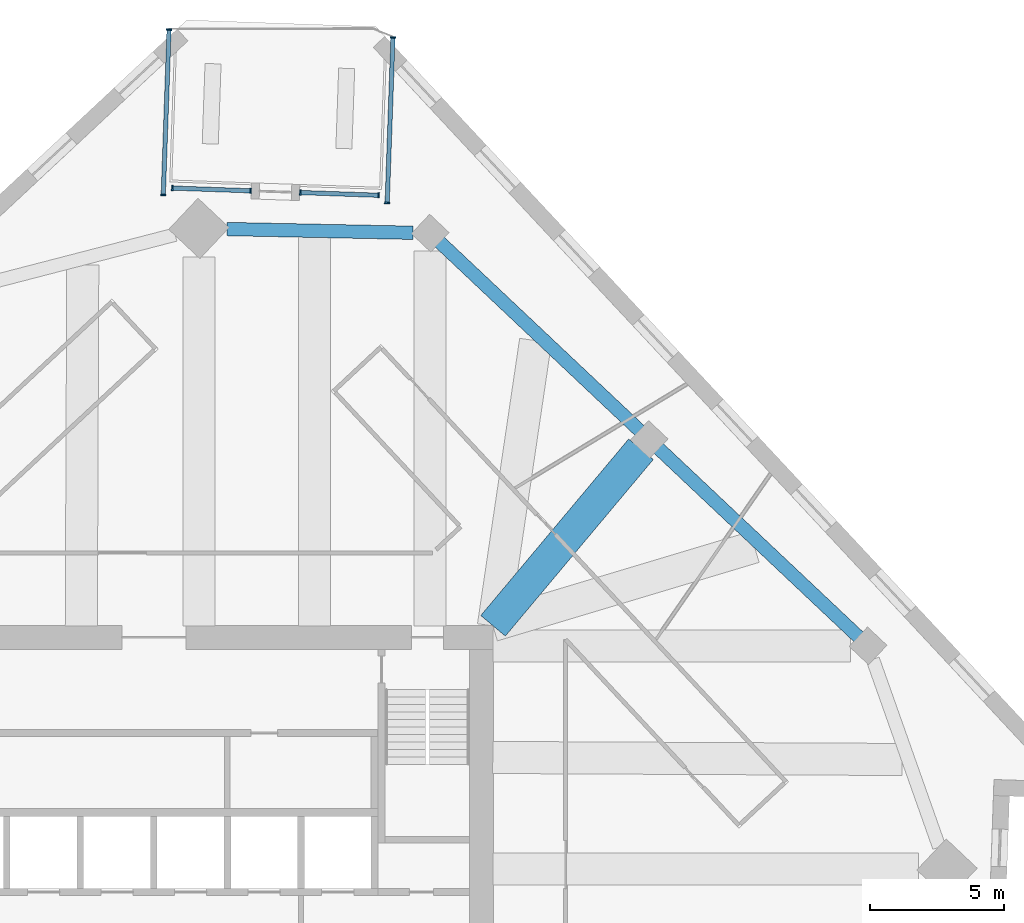
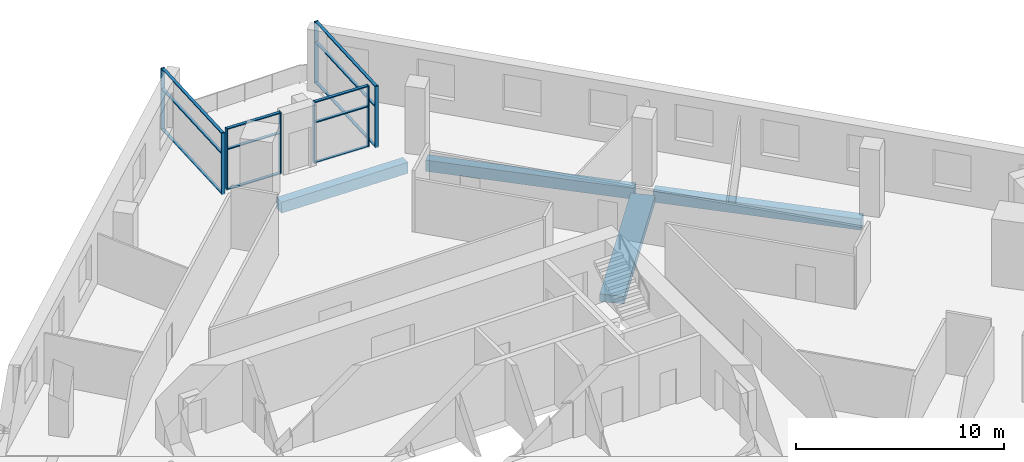
# One storey, part 2 of 10: 20 members, 4 beams, 4 elements without a shape of their own.
"""IFC4 building model written with IfcOpenShell, lengths in metres."""

from ifc_helpers import new_model, si_unit, direction, frame, origin, origin_2d, place, context, subcontext, project, spatial, rectangle, extrude, material, material_profile, profile_set, type_object, element, aggregate, save


model = new_model("IFC4")

# Units and contexts
model_context = context("Model", 3, precision=1e-05, world=origin(), true_north=direction((0.0, 1.0)))
body_context = subcontext(model_context, "Body", "Model", "MODEL_VIEW")
ifc_project = project(units=[si_unit("LENGTHUNIT", "METRE"), si_unit("AREAUNIT", "SQUARE_METRE"), si_unit("VOLUMEUNIT", "CUBIC_METRE"), si_unit("PLANEANGLEUNIT", "RADIAN"), si_unit("MASSUNIT", "GRAM", prefix="KILO")], contexts=[model_context])

# Site, building, storey
site_placement = place(None, origin())
site = spatial("IfcSite", under=ifc_project, at=site_placement, CompositionType="ELEMENT")
building_placement = place(site_placement, origin())
building = spatial("IfcBuilding", under=site, at=building_placement, Name="Dilmun Exchange Tower", CompositionType="ELEMENT")
storey_placement = place(building_placement, frame((0.0, 0.0, 201.300048828125)))
storey = spatial("IfcBuildingStorey", under=building, at=storey_placement, Name="L47", CompositionType="ELEMENT", Elevation=201.300048828125)

# Curtain wall, members
ifc_material_1 = material(Name="Anodised aluminium and clear glass", Category="aluminium")
curtain_wall_type = type_object("IfcCurtainWallType", Name="Garden corner glazing", PredefinedType="NOTDEFINED", material=ifc_material_1)
curtain_wall_1_placement = place(storey_placement, origin())
curtain_wall_1 = element("IfcCurtainWall", 1, at=curtain_wall_1_placement, inside=storey, type_object=curtain_wall_type, Name="Garden corner glazing run GC1.1", PredefinedType="NOTDEFINED")
ifc_material_2 = material(Name="Anodised aluminium", Category="aluminium")
ifc_material_profile_1 = material_profile(ifc_material_2, rectangle(XDim=0.199951171875, YDim=0.06005859375, at=origin_2d()), Name="AL 60x200")
ifc_profile_set_1 = profile_set([ifc_material_profile_1], Name="Anodised aluminium")
member_type_1 = type_object("IfcMemberType", Name="Garden corner glazing mullion 60 x 200", PredefinedType="MULLION", material=ifc_profile_set_1)
member_1_placement = place(storey_placement, frame((8.9404296875, 34.680908203125, 0.0), z_axis=(0.0, 0.0, 1.0), x_axis=(0.999390826392, -0.034899514651, 0.0)))
member_1 = element("IfcMember", 2, at=member_1_placement, type_object=member_type_1, Name="GC1.1 mullion 1", PredefinedType="MULLION", context=body_context, shape_type="SweptSolid", body=[
    extrude(rectangle(XDim=0.199951171875, YDim=0.06005859375, at=origin_2d()), origin(), (0.0, 0.0, 1.0), 3.619873046875),
])
member_2_placement = place(storey_placement, frame((8.724609375, 28.498291015625, 0.0), z_axis=(0.0, 0.0, 1.0), x_axis=(0.999390826392, -0.034899514651, 0.0)))
member_2 = element("IfcMember", 3, at=member_2_placement, type_object=member_type_1, Name="GC1.1 mullion 2", PredefinedType="MULLION", context=body_context, shape_type="SweptSolid", body=[
    extrude(rectangle(XDim=0.199951171875, YDim=0.06005859375, at=origin_2d()), origin(), (0.0, 0.0, 1.0), 3.619873046875),
])

curtain_wall_2_placement = place(storey_placement, origin())
curtain_wall_2 = element("IfcCurtainWall", 4, at=curtain_wall_2_placement, inside=storey, type_object=curtain_wall_type, Name="Garden corner glazing run GC2.1", PredefinedType="NOTDEFINED")
member_3_placement = place(storey_placement, frame((8.404052734375, 28.779541015625, 0.0), z_axis=(0.0, 0.0, 1.0), x_axis=(-0.034893209966, -0.999391046537, 0.0)))
member_3 = element("IfcMember", 5, at=member_3_placement, type_object=member_type_1, Name="GC2.1 mullion 1", PredefinedType="MULLION", context=body_context, shape_type="SweptSolid", body=[
    extrude(rectangle(XDim=0.199951171875, YDim=0.06005859375, at=origin_2d()), origin(), (0.0, 0.0, 1.0), 3.619873046875),
])
member_4_placement = place(storey_placement, frame((5.476806640625, 28.8818359375, 0.0), z_axis=(0.0, 0.0, 1.0), x_axis=(-0.034893209966, -0.999391046537, 0.0)))
member_4 = element("IfcMember", 6, at=member_4_placement, type_object=member_type_1, Name="GC2.1 mullion 2", PredefinedType="MULLION", context=body_context, shape_type="SweptSolid", body=[
    extrude(rectangle(XDim=0.199951171875, YDim=0.06005859375, at=origin_2d()), origin(), (0.0, 0.0, 1.0), 3.619873046875),
])

curtain_wall_3_placement = place(storey_placement, origin())
curtain_wall_3 = element("IfcCurtainWall", 7, at=curtain_wall_3_placement, inside=storey, type_object=curtain_wall_type, Name="Garden corner glazing run GC2.3", PredefinedType="NOTDEFINED")
member_5_placement = place(storey_placement, frame((3.617919921875, 28.94677734375, 0.0), z_axis=(0.0, 0.0, 1.0), x_axis=(-0.034894376636, -0.999391005803, 0.0)))
member_5 = element("IfcMember", 8, at=member_5_placement, type_object=member_type_1, Name="GC2.3 mullion 1", PredefinedType="MULLION", context=body_context, shape_type="SweptSolid", body=[
    extrude(rectangle(XDim=0.199951171875, YDim=0.06005859375, at=origin_2d()), origin(), (0.0, 0.0, 1.0), 3.619873046875),
])
member_6_placement = place(storey_placement, frame((0.690673828125, 29.049072265625, 0.0), z_axis=(0.0, 0.0, 1.0), x_axis=(-0.034894376636, -0.999391005803, 0.0)))
member_6 = element("IfcMember", 9, at=member_6_placement, type_object=member_type_1, Name="GC2.3 mullion 2", PredefinedType="MULLION", context=body_context, shape_type="SweptSolid", body=[
    extrude(rectangle(XDim=0.199951171875, YDim=0.06005859375, at=origin_2d()), origin(), (0.0, 0.0, 1.0), 3.619873046875),
])

curtain_wall_4_placement = place(storey_placement, origin())
curtain_wall_4 = element("IfcCurtainWall", 10, at=curtain_wall_4_placement, inside=storey, type_object=curtain_wall_type, Name="Garden corner glazing run GC3.1", PredefinedType="NOTDEFINED")
member_7_placement = place(storey_placement, frame((0.3515625, 28.79052734375, 0.0), z_axis=(0.0, 0.0, 1.0), x_axis=(-0.999390826392, 0.034899514651, 0.0)))
member_7 = element("IfcMember", 11, at=member_7_placement, type_object=member_type_1, Name="GC3.1 mullion 1", PredefinedType="MULLION", context=body_context, shape_type="SweptSolid", body=[
    extrude(rectangle(XDim=0.199951171875, YDim=0.06005859375, at=origin_2d()), origin(), (0.0, 0.0, 1.0), 3.619873046875),
])
member_8_placement = place(storey_placement, frame((0.5673828125, 34.973388671875, 0.0), z_axis=(0.0, 0.0, 1.0), x_axis=(-0.999390826392, 0.034899514651, 0.0)))
member_8 = element("IfcMember", 12, at=member_8_placement, type_object=member_type_1, Name="GC3.1 mullion 2", PredefinedType="MULLION", context=body_context, shape_type="SweptSolid", body=[
    extrude(rectangle(XDim=0.199951171875, YDim=0.06005859375, at=origin_2d()), origin(), (0.0, 0.0, 1.0), 3.619873046875),
])

# Member
ifc_material_profile_2 = material_profile(ifc_material_2, rectangle(XDim=0.159912109375, YDim=0.06005859375, at=origin_2d()), Name="AL 60x160")
ifc_profile_set_2 = profile_set([ifc_material_profile_2], Name="Anodised aluminium")
member_type_2 = type_object("IfcMemberType", Name="Garden corner glazing transom 60 x 160", PredefinedType="USERDEFINED", material=ifc_profile_set_2)
member_9_placement = place(storey_placement, frame((8.939453125, 34.65087890625, 0.030029296875), z_axis=(-0.034908333431, -0.999390518395, 0.0), x_axis=(0.999390518395, -0.034908333431, 0.0)))
member_9 = element("IfcMember", 13, at=member_9_placement, type_object=member_type_2, Name="GC1.1 transom 1.1", ObjectType="TRANSOM", PredefinedType="USERDEFINED", context=body_context, shape_type="SweptSolid", body=[
    extrude(rectangle(XDim=0.159912109375, YDim=0.06005859375, at=origin_2d()), origin(), (0.0, 0.0, 1.0), 6.12646484375),
])

member_10_placement = place(storey_placement, frame((8.939453125, 34.65087890625, 2.39990234375), z_axis=(-0.034908333431, -0.999390518395, 0.0), x_axis=(0.999390518395, -0.034908333431, 0.0)))
member_10 = element("IfcMember", 14, at=member_10_placement, type_object=member_type_2, Name="GC1.1 transom 1.2", ObjectType="TRANSOM", PredefinedType="USERDEFINED", context=body_context, shape_type="SweptSolid", body=[
    extrude(rectangle(XDim=0.159912109375, YDim=0.06005859375, at=origin_2d()), origin(), (0.0, 0.0, 1.0), 6.12646484375),
])

member_11_placement = place(storey_placement, frame((8.939453125, 34.65087890625, 3.58984375), z_axis=(-0.034908333431, -0.999390518395, 0.0), x_axis=(0.999390518395, -0.034908333431, 0.0)))
member_11 = element("IfcMember", 15, at=member_11_placement, type_object=member_type_2, Name="GC1.1 transom 1.3", ObjectType="TRANSOM", PredefinedType="USERDEFINED", context=body_context, shape_type="SweptSolid", body=[
    extrude(rectangle(XDim=0.159912109375, YDim=0.06005859375, at=origin_2d()), origin(), (0.0, 0.0, 1.0), 6.12646484375),
])

aggregate(curtain_wall_1, [member_1, member_2, member_9, member_10, member_11])

member_12_placement = place(storey_placement, frame((8.3740234375, 28.780517578125, 0.030029296875), z_axis=(-0.999391152029, 0.03489018838, 0.0), x_axis=(-0.03489018838, -0.999391152029, 0.0)))
member_12 = element("IfcMember", 16, at=member_12_placement, type_object=member_type_2, Name="GC2.1 transom 1.1", ObjectType="TRANSOM", PredefinedType="USERDEFINED", context=body_context, shape_type="SweptSolid", body=[
    extrude(rectangle(XDim=0.159912109375, YDim=0.06005859375, at=origin_2d()), origin(), (0.0, 0.0, 1.0), 2.868896484375),
])

member_13_placement = place(storey_placement, frame((8.3740234375, 28.780517578125, 2.39990234375), z_axis=(-0.999391152029, 0.03489018838, 0.0), x_axis=(-0.03489018838, -0.999391152029, 0.0)))
member_13 = element("IfcMember", 17, at=member_13_placement, type_object=member_type_2, Name="GC2.1 transom 1.2", ObjectType="TRANSOM", PredefinedType="USERDEFINED", context=body_context, shape_type="SweptSolid", body=[
    extrude(rectangle(XDim=0.159912109375, YDim=0.06005859375, at=origin_2d()), origin(), (0.0, 0.0, 1.0), 2.868896484375),
])

member_14_placement = place(storey_placement, frame((8.3740234375, 28.780517578125, 3.58984375), z_axis=(-0.999391152029, 0.03489018838, 0.0), x_axis=(-0.03489018838, -0.999391152029, 0.0)))
member_14 = element("IfcMember", 18, at=member_14_placement, type_object=member_type_2, Name="GC2.1 transom 1.3", ObjectType="TRANSOM", PredefinedType="USERDEFINED", context=body_context, shape_type="SweptSolid", body=[
    extrude(rectangle(XDim=0.159912109375, YDim=0.06005859375, at=origin_2d()), origin(), (0.0, 0.0, 1.0), 2.868896484375),
])

aggregate(curtain_wall_2, [member_3, member_4, member_12, member_13, member_14])

member_15_placement = place(storey_placement, frame((3.587890625, 28.94775390625, 0.030029296875), z_axis=(-0.999391152029, 0.03489018838, 0.0), x_axis=(-0.03489018838, -0.999391152029, 0.0)))
member_15 = element("IfcMember", 19, at=member_15_placement, type_object=member_type_2, Name="GC2.3 transom 1.1", ObjectType="TRANSOM", PredefinedType="USERDEFINED", context=body_context, shape_type="SweptSolid", body=[
    extrude(rectangle(XDim=0.159912109375, YDim=0.06005859375, at=origin_2d()), origin(), (0.0, 0.0, 1.0), 2.868896484375),
])

member_16_placement = place(storey_placement, frame((3.587890625, 28.94775390625, 2.39990234375), z_axis=(-0.999391152029, 0.03489018838, 0.0), x_axis=(-0.03489018838, -0.999391152029, 0.0)))
member_16 = element("IfcMember", 20, at=member_16_placement, type_object=member_type_2, Name="GC2.3 transom 1.2", ObjectType="TRANSOM", PredefinedType="USERDEFINED", context=body_context, shape_type="SweptSolid", body=[
    extrude(rectangle(XDim=0.159912109375, YDim=0.06005859375, at=origin_2d()), origin(), (0.0, 0.0, 1.0), 2.868896484375),
])

member_17_placement = place(storey_placement, frame((3.587890625, 28.94775390625, 3.58984375), z_axis=(-0.999391152029, 0.03489018838, 0.0), x_axis=(-0.03489018838, -0.999391152029, 0.0)))
member_17 = element("IfcMember", 21, at=member_17_placement, type_object=member_type_2, Name="GC2.3 transom 1.3", ObjectType="TRANSOM", PredefinedType="USERDEFINED", context=body_context, shape_type="SweptSolid", body=[
    extrude(rectangle(XDim=0.159912109375, YDim=0.06005859375, at=origin_2d()), origin(), (0.0, 0.0, 1.0), 2.868896484375),
])

aggregate(curtain_wall_3, [member_5, member_6, member_15, member_16, member_17])

member_18_placement = place(storey_placement, frame((0.3525390625, 28.820556640625, 0.030029296875), z_axis=(0.034908333431, 0.999390518395, 0.0), x_axis=(-0.999390518395, 0.034908333431, 0.0)))
member_18 = element("IfcMember", 22, at=member_18_placement, type_object=member_type_2, Name="GC3.1 transom 1.1", ObjectType="TRANSOM", PredefinedType="USERDEFINED", context=body_context, shape_type="SweptSolid", body=[
    extrude(rectangle(XDim=0.159912109375, YDim=0.06005859375, at=origin_2d()), origin(), (0.0, 0.0, 1.0), 6.12646484375),
])

member_19_placement = place(storey_placement, frame((0.3525390625, 28.820556640625, 2.39990234375), z_axis=(0.034908333431, 0.999390518395, 0.0), x_axis=(-0.999390518395, 0.034908333431, 0.0)))
member_19 = element("IfcMember", 23, at=member_19_placement, type_object=member_type_2, Name="GC3.1 transom 1.2", ObjectType="TRANSOM", PredefinedType="USERDEFINED", context=body_context, shape_type="SweptSolid", body=[
    extrude(rectangle(XDim=0.159912109375, YDim=0.06005859375, at=origin_2d()), origin(), (0.0, 0.0, 1.0), 6.12646484375),
])

member_20_placement = place(storey_placement, frame((0.3525390625, 28.820556640625, 3.58984375), z_axis=(0.034908333431, 0.999390518395, 0.0), x_axis=(-0.999390518395, 0.034908333431, 0.0)))
member_20 = element("IfcMember", 24, at=member_20_placement, type_object=member_type_2, Name="GC3.1 transom 1.3", ObjectType="TRANSOM", PredefinedType="USERDEFINED", context=body_context, shape_type="SweptSolid", body=[
    extrude(rectangle(XDim=0.159912109375, YDim=0.06005859375, at=origin_2d()), origin(), (0.0, 0.0, 1.0), 6.12646484375),
])

aggregate(curtain_wall_4, [member_7, member_8, member_18, member_19, member_20])

# Beams
ifc_material_3 = material(Name="Concrete C40/50", Category="concrete")
ifc_material_profile_3 = material_profile(ifc_material_3, rectangle(XDim=1.199951171875, YDim=0.449951171875, at=origin_2d()), Name="1200 x 450")
ifc_profile_set_3 = profile_set([ifc_material_profile_3], Name="Concrete C40/50")
beam_type_1 = type_object("IfcBeamType", Name="RC band beam 1200 x 450 C40/50", PredefinedType="BEAM", material=ifc_profile_set_3)
beam_1_placement = place(storey_placement, frame((18.2158203125, 19.28369140625, -0.705078125), z_axis=(-0.642200063897, -0.766537068856, 0.0), x_axis=(0.766537068856, -0.642200063897, 0.0)))
element("IfcBeam", 25, at=beam_1_placement, inside=storey, type_object=beam_type_1, Name="Band beam 15", PredefinedType="BEAM", context=body_context, shape_type="SweptSolid", body=[
    extrude(rectangle(XDim=1.199951171875, YDim=0.449951171875, at=origin_2d()), origin(), (0.0, 0.0, 1.0), 8.615966796875),
])
ifc_material_profile_4 = material_profile(ifc_material_3, rectangle(XDim=0.5, YDim=0.64990234375, at=origin_2d()), Name="500 x 650")
ifc_profile_set_4 = profile_set([ifc_material_profile_4], Name="Concrete C40/50")
beam_type_2 = type_object("IfcBeamType", Name="RC ring beam 500 x 650 C40/50", PredefinedType="SPANDREL", material=ifc_profile_set_4)
beam_2_placement = place(storey_placement, frame((26.36181640625, 12.25537109375, -0.705078125), z_axis=(-0.727685706374, 0.68591071776, 0.0), x_axis=(-0.68591071776, -0.727685706374, 0.0)))
element("IfcBeam", 26, at=beam_2_placement, inside=storey, type_object=beam_type_2, Name="Ring beam 14", PredefinedType="SPANDREL", context=body_context, shape_type="SweptSolid", body=[
    extrude(rectangle(XDim=0.5, YDim=0.64990234375, at=origin_2d()), origin(), (0.0, 0.0, 1.0), 10.30322265625),
])
beam_3_placement = place(storey_placement, frame((18.17578125, 19.971435546875, -0.705078125), z_axis=(-0.727682990869, 0.685913598641, 0.0), x_axis=(-0.685913598641, -0.727682990869, 0.0)))
element("IfcBeam", 27, at=beam_3_placement, inside=storey, type_object=beam_type_2, Name="Ring beam 15", PredefinedType="SPANDREL", context=body_context, shape_type="SweptSolid", body=[
    extrude(rectangle(XDim=0.5, YDim=0.64990234375, at=origin_2d()), origin(), (0.0, 0.0, 1.0), 10.3046875),
])
beam_4_placement = place(storey_placement, frame((9.685791015625, 27.376953125, -0.705078125), z_axis=(-0.999797424966, 0.020127320539, 0.0), x_axis=(-0.020127320539, -0.999797424966, 0.0)))
element("IfcBeam", 28, at=beam_4_placement, inside=storey, type_object=beam_type_2, Name="Ring beam 16", PredefinedType="SPANDREL", context=body_context, shape_type="SweptSolid", body=[
    extrude(rectangle(XDim=0.5, YDim=0.64990234375, at=origin_2d()), origin(), (0.0, 0.0, 1.0), 6.950439453125),
])

save(model, "model.ifc")
